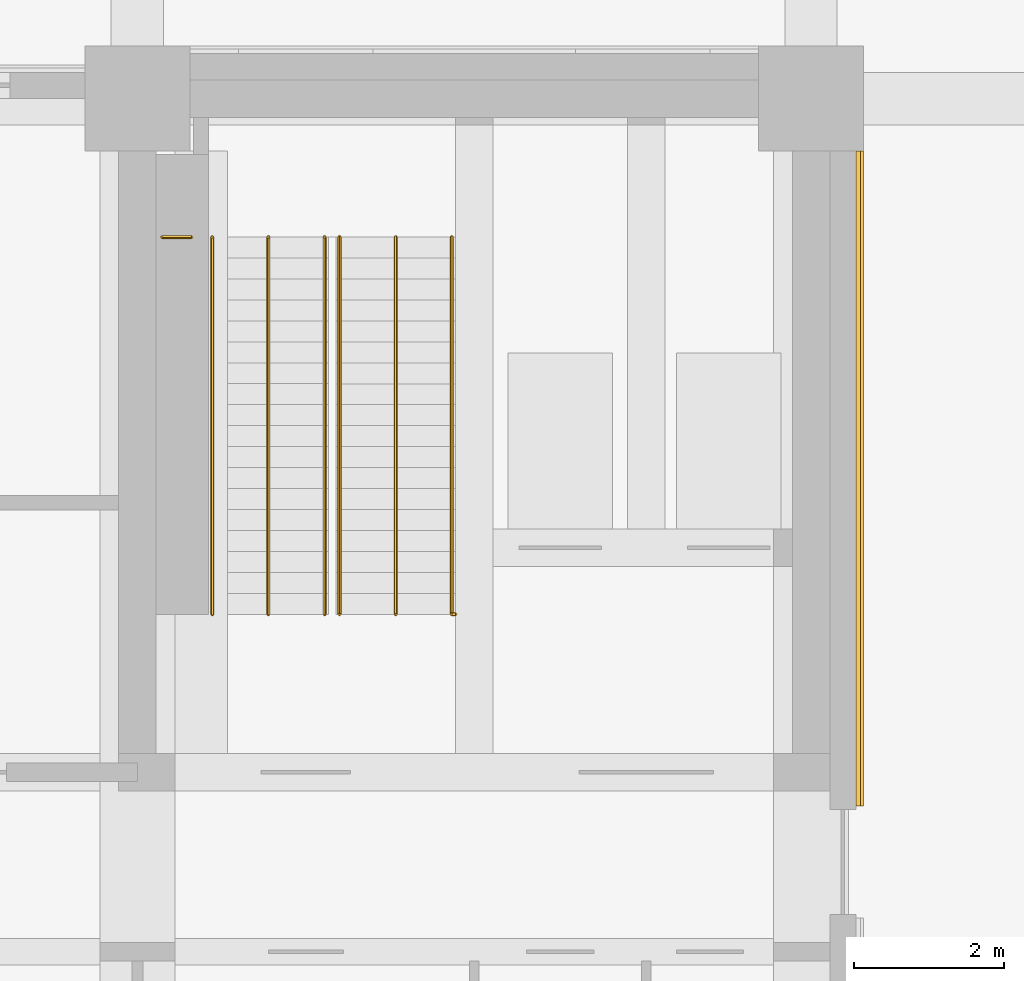
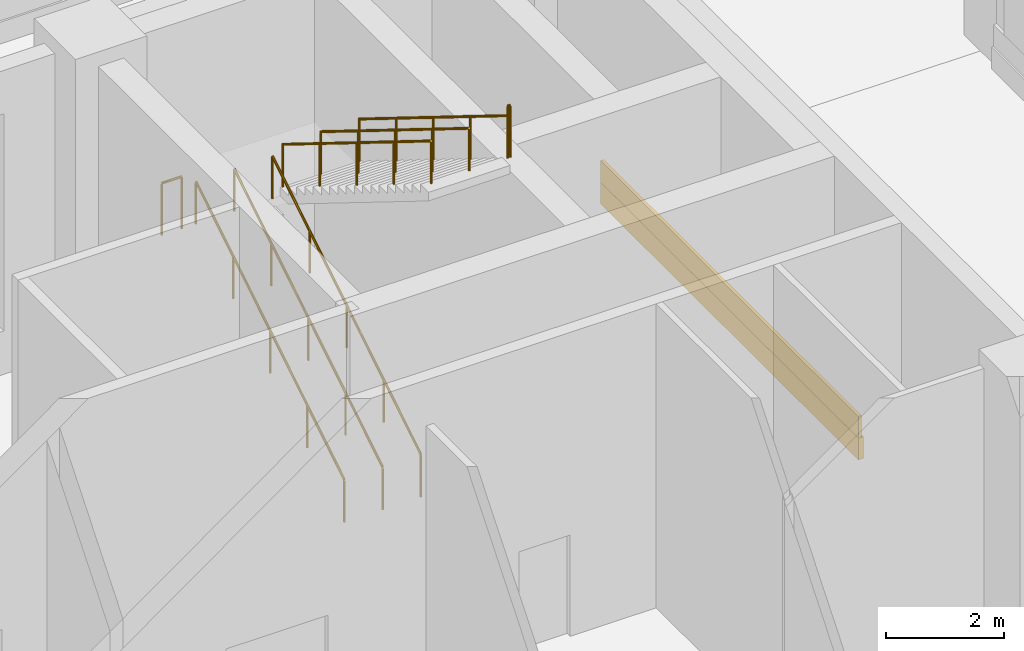
# One storey, part 23 of 35: 8 railings, 2 coverings.
"""IFC4 building model written with IfcOpenShell, lengths in metres."""

from ifc_helpers import new_model, si_unit, direction, frame, origin, origin_2d, place, context, subcontext, project, spatial, rectangle, circle, extrude, material, type_object, element, save


model = new_model("IFC4")

# Units and contexts
model_context = context("Model", 3, precision=1e-05, world=origin(), true_north=direction((0.0, 1.0)))
body_context = subcontext(model_context, "Body", "Model", "MODEL_VIEW")
ifc_project = project(units=[si_unit("LENGTHUNIT", "METRE"), si_unit("AREAUNIT", "SQUARE_METRE"), si_unit("VOLUMEUNIT", "CUBIC_METRE"), si_unit("PLANEANGLEUNIT", "RADIAN"), si_unit("MASSUNIT", "GRAM", prefix="KILO")], contexts=[model_context])

# Site, building, storey
site_placement = place(None, origin())
site = spatial("IfcSite", under=ifc_project, at=site_placement, CompositionType="ELEMENT")
building_placement = place(site_placement, origin())
building = spatial("IfcBuilding", under=site, at=building_placement, Name="Aurelan Courthouse", CompositionType="ELEMENT")
storey_placement = place(building_placement, origin())
storey = spatial("IfcBuildingStorey", under=building, at=storey_placement, Name="L00", CompositionType="ELEMENT", Elevation=0.0)

# Coverings
ifc_material_1 = material(Name="Granite cladding", Category="masonry")
covering_type = type_object("IfcCoveringType", Name="Courts' Floors rusticated plinth course 450 x 100", PredefinedType="CLADDING", material=ifc_material_1)
covering_1_placement = place(storey_placement, frame((27.64990234375, 23.425048828125, 0.0), z_axis=(0.0, 0.0, 1.0), x_axis=(1.0, 0.0, 0.0)))
element("IfcCovering", 1, at=covering_1_placement, inside=storey, type_object=covering_type, Name="Plinth course PLC-V5-020", PredefinedType="CLADDING", context=body_context, shape_type="SweptSolid", body=[
    extrude(rectangle(XDim=0.10009765625, YDim=8.75, at=origin_2d()), origin(), (0.0, 0.0, 1.0), 0.449951171875),
])
covering_2_placement = place(storey_placement, frame((27.6298828125, 23.425048828125, 0.4501953125), z_axis=(0.0, 0.0, 1.0), x_axis=(1.0, 0.0, 0.0)))
element("IfcCovering", 2, at=covering_2_placement, inside=storey, type_object=covering_type, Name="Plinth course PLC-V5-022", PredefinedType="CLADDING", context=body_context, shape_type="SweptSolid", body=[
    extrude(rectangle(XDim=0.06005859375, YDim=8.75, at=origin_2d()), origin(), (0.0, 0.0, 1.0), 0.449951171875),
])

# Railings
ifc_material_2 = material(Name="Steel S355", Category="steel")
railing_type_1 = type_object("IfcRailingType", Name="Stair guard 1100", PredefinedType="GUARDRAIL", material=ifc_material_2)
railing_1_placement = place(storey_placement, frame((22.199951171875, 21.610107421875, 6.60009765625)))
element("IfcRailing", 3, at=railing_1_placement, inside=storey, type_object=railing_type_1, Name="Guard ST-5A-L00-H5-C", PredefinedType="GUARDRAIL", context=body_context, shape_type="SweptSolid", body=[
    extrude(circle(Radius=0.02392578125, at=origin_2d()), frame((0.0, 0.0, 1.076171875), z_axis=(1.0, 0.0, 0.0), x_axis=(0.0, 1.0, 0.0)), (0.0, 0.0, 1.0), 0.050048828125),
    extrude(circle(Radius=0.02099609375, at=origin_2d()), origin(), (0.0, 0.0, 1.0), 1.052001953125),
    extrude(circle(Radius=0.02099609375, at=origin_2d()), frame((0.050048828125, 0.0, 0.0)), (0.0, 0.0, 1.0), 1.052001953125),
])
railing_2_placement = place(storey_placement, frame((18.719970703125, 26.64990234375, 3.300048828125)))
element("IfcRailing", 4, at=railing_2_placement, inside=storey, type_object=railing_type_1, Name="Guard ST-5A-L00-GL1", PredefinedType="GUARDRAIL", context=body_context, shape_type="SweptSolid", body=[
    extrude(circle(Radius=0.02392578125, at=origin_2d()), frame((0.0, 0.0, 1.076171875), z_axis=(-1.0, 0.0, 0.0), x_axis=(0.0, -1.0, 0.0)), (0.0, 0.0, 1.0), 0.389892578125),
    extrude(circle(Radius=0.02099609375, at=origin_2d()), origin(), (0.0, 0.0, 1.0), 1.052001953125),
    extrude(circle(Radius=0.02099609375, at=origin_2d()), frame((-0.389892578125, 0.0, 0.0)), (0.0, 0.0, 1.0), 1.052001953125),
])
railing_type_2 = type_object("IfcRailingType", Name="Stair handrail 900", PredefinedType="HANDRAIL", material=ifc_material_2)
for number, where, name in (
    (5, (19.0, 21.610107421875, 0.173583984375), "Handrail ST-5A-L00-H1"),
    (6, (20.5, 21.610107421875, 0.173583984375), "Handrail ST-5A-L00-H2"),
    (7, (19.75, 21.610107421875, 0.173583984375), "Handrail ST-5A-L00-H3"),
):
    element("IfcRailing", number, at=place(storey_placement, frame(where)), inside=storey, type_object=railing_type_2, Name=name, PredefinedType="HANDRAIL", context=body_context, shape_type="SweptSolid", body=[
        extrude(circle(Radius=0.02392578125, at=origin_2d()), frame((0.0, 0.0, 0.8759765625), z_axis=(0.0, 0.84976734637, 0.527157905227), x_axis=(-1.0, 0.0, 0.0)), (0.0, 0.0, 1.0), 5.930908203125),
        extrude(circle(Radius=0.02099609375, at=origin_2d()), origin(), (0.0, 0.0, 1.0), 0.851806640625),
        extrude(circle(Radius=0.02099609375, at=origin_2d()), frame((0.0, 1.260009765625, 0.78173828125)), (0.0, 0.0, 1.0), 0.851806640625),
        extrude(circle(Radius=0.02099609375, at=origin_2d()), frame((0.0, 2.52001953125, 1.563232421875)), (0.0, 0.0, 1.0), 0.851806640625),
        extrude(circle(Radius=0.02099609375, at=origin_2d()), frame((0.0, 3.77978515625, 2.3447265625)), (0.0, 0.0, 1.0), 0.851806640625),
        extrude(circle(Radius=0.02099609375, at=origin_2d()), frame((0.0, 5.039794921875, 3.12646484375)), (0.0, 0.0, 1.0), 0.851806640625),
    ])
for number, where, name in (
    (8, (20.699951171875, 26.64990234375, 3.4736328125), "Handrail ST-5A-L00-H4"),
    (9, (22.199951171875, 26.64990234375, 3.4736328125), "Handrail ST-5A-L00-H5"),
    (10, (21.449951171875, 26.64990234375, 3.4736328125), "Handrail ST-5A-L00-H6"),
):
    element("IfcRailing", number, at=place(storey_placement, frame(where)), inside=storey, type_object=railing_type_2, Name=name, PredefinedType="HANDRAIL", context=body_context, shape_type="SweptSolid", body=[
        extrude(circle(Radius=0.02392578125, at=origin_2d()), frame((0.0, 0.0, 0.8759765625), z_axis=(0.0, -0.84976734637, 0.527157905227), x_axis=(1.0, 0.0, 0.0)), (0.0, 0.0, 1.0), 5.930908203125),
        extrude(circle(Radius=0.02099609375, at=origin_2d()), origin(), (0.0, 0.0, 1.0), 0.851806640625),
        extrude(circle(Radius=0.02099609375, at=origin_2d()), frame((0.0, -1.260009765625, 0.78173828125)), (0.0, 0.0, 1.0), 0.851806640625),
        extrude(circle(Radius=0.02099609375, at=origin_2d()), frame((0.0, -2.52001953125, 1.563232421875)), (0.0, 0.0, 1.0), 0.851806640625),
        extrude(circle(Radius=0.02099609375, at=origin_2d()), frame((0.0, -3.77978515625, 2.3447265625)), (0.0, 0.0, 1.0), 0.851806640625),
        extrude(circle(Radius=0.02099609375, at=origin_2d()), frame((0.0, -5.039794921875, 3.12646484375)), (0.0, 0.0, 1.0), 0.851806640625),
    ])

save(model, "model.ifc")
